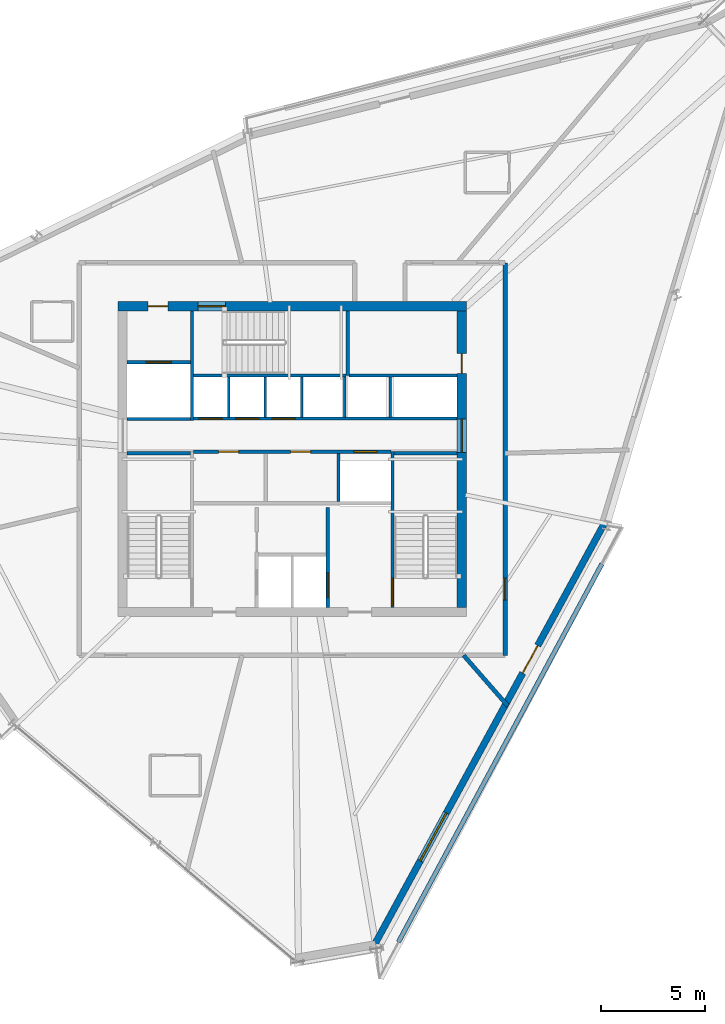
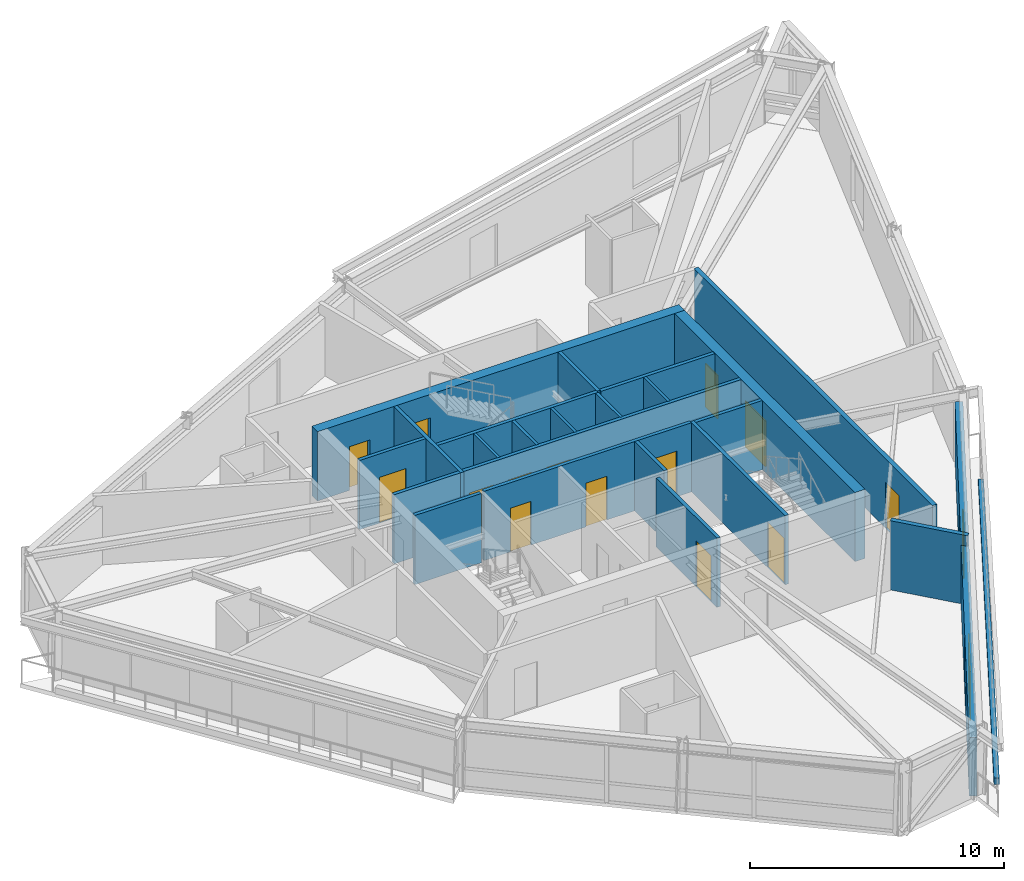
# One storey, part 9 of 14: 24 walls, 15 doors, 1 window, 16 openings.
"""IFC4 building model written with IfcOpenShell, lengths in metres."""

from ifc_helpers import new_model, si_unit, direction, frame, frame_2d, origin, place, context, subcontext, project, spatial, rectangle, extrude, source, transform, mapped, material, layer, layer_set, type_object, type_shapes, element, fill, save


model = new_model("IFC4")

# Units and contexts
model_context = context("Model", 3, precision=1e-05, world=origin(), true_north=direction((0.0, 1.0)))
body_context = subcontext(model_context, "Body", "Model", "MODEL_VIEW")
ifc_project = project(units=[si_unit("LENGTHUNIT", "METRE"), si_unit("AREAUNIT", "SQUARE_METRE"), si_unit("VOLUMEUNIT", "CUBIC_METRE"), si_unit("PLANEANGLEUNIT", "RADIAN"), si_unit("MASSUNIT", "GRAM", prefix="KILO")], contexts=[model_context])

# Site, building, storey
site_placement = place(None, origin())
site = spatial("IfcSite", under=ifc_project, at=site_placement, CompositionType="ELEMENT")
building_placement = place(site_placement, origin())
building = spatial("IfcBuilding", under=site, at=building_placement, Name="Olszyna Solenne Hotel", CompositionType="ELEMENT")
storey_placement = place(building_placement, frame((0.0, 0.0, 216.699951171875)))
storey = spatial("IfcBuildingStorey", under=building, at=storey_placement, Name="L57", CompositionType="ELEMENT", Elevation=216.699951171875)

# Wall, openings, doors
ifc_material_1 = material(Name="Concrete C50/60", Category="concrete")
ifc_layer_1 = layer(ifc_material_1, 0.449951171875, Name="Concrete C50/60")
ifc_layer_set_1 = layer_set([ifc_layer_1], Name="Concrete C50/60")
wall_type_1 = type_object("IfcWallType", Name="WL-CR450", PredefinedType="SHEAR", material=ifc_layer_set_1)
wall_1_placement = place(storey_placement, frame((29.64990234375, 33.925048828125, 0.0), z_axis=(0.0, 0.0, 1.0), x_axis=(1.0, 0.0, 0.0)))
wall_1 = element("IfcWall", 1, at=wall_1_placement, inside=storey, type_object=wall_type_1, Name="Core shear wall WL-CR450 CRW-L57-N", PredefinedType="SHEAR", context=body_context, shape_type="SweptSolid", body=[
    extrude(rectangle(XDim=16.7001953125, YDim=0.449951171875, at=frame_2d((8.35009765625, 0.0))), origin(), (0.0, 0.0, 1.0), 3.330078125),
])
opening_1_placement = place(wall_1_placement, frame((1.449951171875, 0.0, 0.0)))
opening_1 = element("IfcOpeningElement", 2, at=opening_1_placement, cuts=wall_1, Name="Opening SVD-L57-01", PredefinedType="OPENING", context=body_context, shape_type="SweptSolid", body=[
    extrude(rectangle(XDim=0.949951171875, YDim=2.10009765625, at=frame_2d((0.47509765625, 1.050048828125))), frame((0.0, 0.23486328125, 0.0), z_axis=(0.0, -1.0, 0.0), x_axis=(1.0, 0.0, 0.0)), (0.0, 0.0, 1.0), 0.469970703125),
])
opening_2_placement = place(wall_1_placement, frame((3.830078125, 0.0, 0.0)))
opening_2 = element("IfcOpeningElement", 3, at=opening_2_placement, cuts=wall_1, Name="Opening STD-L57-03", PredefinedType="OPENING", context=body_context, shape_type="SweptSolid", body=[
    extrude(rectangle(XDim=1.320068359375, YDim=2.199951171875, at=frame_2d((0.66015625, 1.10009765625))), frame((0.0, 0.23486328125, 0.0), z_axis=(0.0, -1.0, 0.0), x_axis=(1.0, 0.0, 0.0)), (0.0, 0.0, 1.0), 0.469970703125),
])
ifc_material_2 = material(Name="Steel S355J2", Category="steel")
door_type_1 = type_object("IfcDoorType", Name="DR-ST1", OperationType="NOTDEFINED", PredefinedType="DOOR", material=ifc_material_2)
shared_shape_1 = source(origin(), body_context, "Body", "SweptSolid", [
    extrude(rectangle(XDim=1.320068359375, YDim=2.199951171875, at=frame_2d((0.66015625, 1.10009765625))), frame((0.0, 0.02490234375, 0.0), z_axis=(0.0, -1.0, 0.0), x_axis=(1.0, 0.0, 0.0)), (0.0, 0.0, 1.0), 0.050048828125),
])
type_shapes(door_type_1, [shared_shape_1])
door_1_placement = place(opening_2_placement, origin())
door_1 = element("IfcDoor", 4, at=door_1_placement, inside=storey, type_object=door_type_1, Name="Pressurised exit stair ST3 fire door STD-L57-03", OperationType="SINGLE_SWING_RIGHT", OverallHeight=2.199951171875, OverallWidth=1.320068359375, PredefinedType="DOOR", context=body_context, shape_type="MappedRepresentation", body=[
    mapped(shared_shape_1, transform((0.0, 0.0, 0.0), x_axis=(1.0, 0.0, 0.0), y_axis=(0.0, 1.0, 0.0), z_axis=(0.0, 0.0, 1.0), scale=1.0)),
])
fill(opening_2, door_1)
door_type_2 = type_object("IfcDoorType", Name="DR-SV1", OperationType="NOTDEFINED", PredefinedType="DOOR", material=ifc_material_2)
shared_shape_2 = source(origin(), body_context, "Body", "SweptSolid", [
    extrude(rectangle(XDim=0.949951171875, YDim=2.10009765625, at=frame_2d((0.47509765625, 1.050048828125))), frame((0.0, 0.02490234375, 0.0), z_axis=(0.0, -1.0, 0.0), x_axis=(1.0, 0.0, 0.0)), (0.0, 0.0, 1.0), 0.050048828125),
])
type_shapes(door_type_2, [shared_shape_2])
door_2_placement = place(opening_1_placement, origin())
door_2 = element("IfcDoor", 5, at=door_2_placement, inside=storey, type_object=door_type_2, Name="Service lift lobby fire door SVD-L57-01", OperationType="SINGLE_SWING_LEFT", OverallHeight=2.10009765625, OverallWidth=0.949951171875, PredefinedType="DOOR", context=body_context, shape_type="MappedRepresentation", body=[
    mapped(shared_shape_2, transform((0.0, 0.0, 0.0), x_axis=(1.0, 0.0, 0.0), y_axis=(0.0, 1.0, 0.0), z_axis=(0.0, 0.0, 1.0), scale=1.0)),
])
fill(opening_1, door_2)

wall_2_placement = place(storey_placement, frame((46.125, 33.699951171875, 0.0), z_axis=(0.0, 0.0, 1.0), x_axis=(0.0, -1.0, 0.0)))
wall_2 = element("IfcWall", 6, at=wall_2_placement, inside=storey, type_object=wall_type_1, Name="Core shear wall WL-CR450 CRW-L57-E", PredefinedType="SHEAR", context=body_context, shape_type="SweptSolid", body=[
    extrude(rectangle(XDim=14.199951171875, YDim=0.449951171875, at=frame_2d((7.10009765625, 0.0))), origin(), (0.0, 0.0, 1.0), 3.330078125),
])
opening_3_placement = place(wall_2_placement, frame((5.179931640625, 0.0, 0.0)))
opening_3 = element("IfcOpeningElement", 7, at=opening_3_placement, cuts=wall_2, Name="Opening LHD-L57-E", PredefinedType="OPENING", context=body_context, shape_type="SweptSolid", body=[
    extrude(rectangle(XDim=1.60009765625, YDim=2.199951171875, at=frame_2d((0.800048828125, 1.10009765625))), frame((0.0, 0.23486328125, 0.0), z_axis=(0.0, -1.0, 0.0), x_axis=(1.0, 0.0, 0.0)), (0.0, 0.0, 1.0), 0.469970703125),
])
opening_4_placement = place(wall_2_placement, frame((2.050048828125, 0.0, 0.0)))
opening_4 = element("IfcOpeningElement", 8, at=opening_4_placement, cuts=wall_2, Name="Opening SVD-L57-BE", PredefinedType="OPENING", context=body_context, shape_type="SweptSolid", body=[
    extrude(rectangle(XDim=0.949951171875, YDim=2.10009765625, at=frame_2d((0.47509765625, 1.050048828125))), frame((0.0, 0.23486328125, 0.0), z_axis=(0.0, -1.0, 0.0), x_axis=(1.0, 0.0, 0.0)), (0.0, 0.0, 1.0), 0.469970703125),
])
door_3_placement = place(opening_4_placement, origin())
door_3 = element("IfcDoor", 9, at=door_3_placement, inside=storey, type_object=door_type_2, Name="Housekeeping core fire door SVD-L57-BE", OperationType="SINGLE_SWING_RIGHT", OverallHeight=2.10009765625, OverallWidth=0.949951171875, PredefinedType="DOOR", context=body_context, shape_type="MappedRepresentation", body=[
    mapped(shared_shape_2, transform((0.0, 0.0, 0.0), x_axis=(1.0, 0.0, 0.0), y_axis=(0.0, 1.0, 0.0), z_axis=(0.0, 0.0, 1.0), scale=1.0)),
])
fill(opening_4, door_3)
ifc_material_3 = material(Name="Timber hardwood", Category="wood")
door_type_3 = type_object("IfcDoorType", Name="DR-CR1", OperationType="DOUBLE_DOOR_SINGLE_SWING", PredefinedType="DOOR", material=ifc_material_3)
shared_shape_3 = source(origin(), body_context, "Body", "SweptSolid", [
    extrude(rectangle(XDim=1.60009765625, YDim=2.199951171875, at=frame_2d((0.800048828125, 1.10009765625))), frame((0.0, 0.02490234375, 0.0), z_axis=(0.0, -1.0, 0.0), x_axis=(1.0, 0.0, 0.0)), (0.0, 0.0, 1.0), 0.050048828125),
])
type_shapes(door_type_3, [shared_shape_3])
door_4_placement = place(opening_3_placement, origin())
door_4 = element("IfcDoor", 10, at=door_4_placement, inside=storey, type_object=door_type_3, Name="Passenger lift lobby East fire door LHD-L57-E", OperationType="DOUBLE_DOOR_SINGLE_SWING", OverallHeight=2.199951171875, OverallWidth=1.60009765625, PredefinedType="DOOR", context=body_context, shape_type="MappedRepresentation", body=[
    mapped(shared_shape_3, transform((0.0, 0.0, 0.0), x_axis=(1.0, 0.0, 0.0), y_axis=(0.0, 1.0, 0.0), z_axis=(0.0, 0.0, 1.0), scale=1.0)),
])
fill(opening_3, door_4)

# Wall, openings, door, window
ifc_material_4 = material(Name="Precast concrete C45/55", Category="concrete")
ifc_layer_2 = layer(ifc_material_4, 0.320068359375, Name="Precast concrete C45/55")
ifc_layer_set_2 = layer_set([ifc_layer_2], Name="Precast concrete C45/55")
wall_type_2 = type_object("IfcWallType", Name="WL-EX320", PredefinedType="SOLIDWALL", material=ifc_layer_set_2)
wall_3_placement = place(storey_placement, frame((52.936767578125, 23.490234375, 0.0), z_axis=(0.0, 0.0, 1.0), x_axis=(-0.479001143565, -0.877814276748, 0.0)))
wall_3 = element("IfcWall", 11, at=wall_3_placement, inside=storey, type_object=wall_type_2, Name="Exterior terracotta-precast frame wall WL-EX320 EW-L57-01", PredefinedType="SOLIDWALL", context=body_context, shape_type="SweptSolid", body=[
    extrude(rectangle(XDim=23.072021484375, YDim=0.320068359375, at=frame_2d((11.5361328125, 0.0))), origin(), (0.0, 0.0, 1.0), 2.822021484375),
])
opening_5_placement = place(wall_3_placement, frame((6.633056640625, 0.0, 0.0)))
opening_5 = element("IfcOpeningElement", 12, at=opening_5_placement, cuts=wall_3, Name="Opening LDG-L57-3", PredefinedType="OPENING", context=body_context, shape_type="SweptSolid", body=[
    extrude(rectangle(XDim=1.5, YDim=2.300048828125, at=frame_2d((0.75, 1.14990234375))), frame((0.0, 0.169921875, 0.0), z_axis=(0.0, -1.0, 0.0), x_axis=(1.0, 0.0, 0.0)), (0.0, 0.0, 1.0), 0.340087890625),
])
opening_6_placement = place(wall_3_placement, frame((15.77294921875, 0.0, 0.35205078125)))
opening_6 = element("IfcOpeningElement", 13, at=opening_6_placement, cuts=wall_3, Name="Opening WN-L57-365", PredefinedType="OPENING", context=body_context, shape_type="SweptSolid", body=[
    extrude(rectangle(XDim=2.60009765625, YDim=2.35009765625, at=frame_2d((1.300048828125, 1.175048828125))), frame((0.0, 0.169921875, 0.0), z_axis=(0.0, -1.0, 0.0), x_axis=(1.0, 0.0, 0.0)), (0.0, 0.0, 1.0), 0.340087890625),
])
ifc_material_5 = material(Name="Anodised bronze aluminium", Category="aluminium")
door_type_4 = type_object("IfcDoorType", Name="DR-LG2", OperationType="DOUBLE_DOOR_SINGLE_SWING", PredefinedType="DOOR", material=ifc_material_5)
shared_shape_4 = source(origin(), body_context, "Body", "SweptSolid", [
    extrude(rectangle(XDim=1.5, YDim=2.300048828125, at=frame_2d((0.75, 1.14990234375))), frame((0.0, 0.02490234375, 0.0), z_axis=(0.0, -1.0, 0.0), x_axis=(1.0, 0.0, 0.0)), (0.0, 0.0, 1.0), 0.050048828125),
])
type_shapes(door_type_4, [shared_shape_4])
door_5_placement = place(opening_5_placement, origin())
door_5 = element("IfcDoor", 14, at=door_5_placement, inside=storey, type_object=door_type_4, Name="Exterior loggia balcony door DR-LG2 LDG-L57-3", OperationType="DOUBLE_DOOR_SINGLE_SWING", OverallHeight=2.300048828125, OverallWidth=1.5, PredefinedType="DOOR", context=body_context, shape_type="MappedRepresentation", body=[
    mapped(shared_shape_4, transform((0.0, 0.0, 0.0), x_axis=(1.0, 0.0, 0.0), y_axis=(0.0, 1.0, 0.0), z_axis=(0.0, 0.0, 1.0), scale=1.0)),
])
fill(opening_5, door_5)
ifc_material_6 = material(Name="Low-E triple glazing", Category="glass")
window_type = type_object("IfcWindowType", Name="WN-ST1", PartitioningType="SINGLE_PANEL", PredefinedType="WINDOW", material=ifc_material_6)
shared_shape_5 = source(origin(), body_context, "Body", "SweptSolid", [
    extrude(rectangle(XDim=2.60009765625, YDim=2.35009765625, at=frame_2d((1.300048828125, 1.175048828125))), frame((0.0, 0.030029296875, 0.0), z_axis=(0.0, -1.0, 0.0), x_axis=(1.0, 0.0, 0.0)), (0.0, 0.0, 1.0), 0.06005859375),
])
type_shapes(window_type, [shared_shape_5])
window_placement = place(opening_6_placement, origin())
window = element("IfcWindow", 15, at=window_placement, inside=storey, type_object=window_type, Name="Loggia room window WN-ST1 WN-L57-365", OverallHeight=2.35009765625, OverallWidth=2.60009765625, PartitioningType="SINGLE_PANEL", PredefinedType="WINDOW", context=body_context, shape_type="MappedRepresentation", body=[
    mapped(shared_shape_5, transform((0.0, 0.0, 0.0), x_axis=(1.0, 0.0, 0.0), y_axis=(0.0, 1.0, 0.0), z_axis=(0.0, 0.0, 1.0), scale=1.0)),
])
fill(opening_6, window)

# Walls
ifc_layer_3 = layer(ifc_material_4, 0.219970703125, Name="Precast concrete C45/55")
ifc_layer_set_3 = layer_set([ifc_layer_3], Name="Precast concrete C45/55")
wall_type_3 = type_object("IfcWallType", Name="WL-PR220", PredefinedType="PARAPET", material=ifc_layer_set_3)
wall_4_placement = place(storey_placement, frame((43.091796875, 3.47265625, 0.0), z_axis=(0.0, 0.0, 1.0), x_axis=(0.473808636285, 0.880627830688, 0.0)))
element("IfcWall", 16, at=wall_4_placement, inside=storey, type_object=wall_type_3, Name="Loggia balcony precast kerb PR-L57-LG3", PredefinedType="PARAPET", context=body_context, shape_type="SweptSolid", body=[
    extrude(rectangle(XDim=20.551025390625, YDim=0.219970703125, at=frame_2d((10.275390625, 0.0))), origin(), (0.0, 0.0, 1.0), 0.300048828125),
])
ifc_material_7 = material(Name="Acoustic gypsum partition", Category="gypsum")
ifc_layer_4 = layer(ifc_material_7, 0.125, Name="Acoustic gypsum partition")
ifc_layer_set_4 = layer_set([ifc_layer_4], Name="Acoustic gypsum partition")
wall_type_4 = type_object("IfcWallType", Name="WL-PT125", PredefinedType="PARTITIONING", material=ifc_layer_set_4)
for number, where, z_axis, x_axis, name in (
    (17, (34.965087890625, 28.60009765625, 0.0), (0.0, 0.0, 1.0), (0.0, 1.0, 0.0), "Core shaft compartment wall CW-L57-DIVN349"),
    (18, (36.715087890625, 28.60009765625, 0.0), (0.0, 0.0, 1.0), (0.0, 1.0, 0.0), "Core shaft compartment wall CW-L57-DIVN367"),
    (19, (38.465087890625, 28.60009765625, 0.0), (0.0, 0.0, 1.0), (0.0, 1.0, 0.0), "Core shaft compartment wall CW-L57-DIVN384"),
    (20, (40.52490234375, 28.60009765625, 0.0), (0.0, 0.0, 1.0), (0.0, 1.0, 0.0), "Core shaft compartment wall CW-L57-DIVEX405"),
    (21, (42.699951171875, 28.60009765625, 0.0), (0.0, 0.0, 1.0), (0.0, 1.0, 0.0), "Core shaft compartment wall CW-L57-DIVEX427"),
):
    element("IfcWall", number, at=place(storey_placement, frame(where, z_axis=z_axis, x_axis=x_axis)), inside=storey, type_object=wall_type_4, Name=name, PredefinedType="PARTITIONING", context=body_context, shape_type="SweptSolid", body=[
        extrude(rectangle(XDim=1.919921875, YDim=0.125, at=frame_2d((0.9599609375, 0.0))), origin(), (0.0, 0.0, 1.0), 3.330078125),
    ])
ifc_layer_5 = layer(ifc_material_7, 0.159912109375, Name="Acoustic gypsum partition")
ifc_layer_set_5 = layer_set([ifc_layer_5], Name="Acoustic gypsum partition")
wall_type_5 = type_object("IfcWallType", Name="WL-PT160", PredefinedType="PARTITIONING", material=ifc_layer_set_5)
wall_5_placement = place(storey_placement, frame((30.10009765625, 26.8798828125, 0.0), z_axis=(0.0, 0.0, 1.0), x_axis=(1.0, 0.0, 0.0)))
element("IfcWall", 22, at=wall_5_placement, inside=storey, type_object=wall_type_5, Name="Core shaft compartment wall CW-L57-ST1N", PredefinedType="PARTITIONING", context=body_context, shape_type="SweptSolid", body=[
    extrude(rectangle(XDim=3.02001953125, YDim=0.159912109375, at=frame_2d((1.510009765625, 0.0))), origin(), (0.0, 0.0, 1.0), 3.330078125),
])

# Wall, opening, door
wall_6_placement = place(storey_placement, frame((42.800048828125, 26.9599609375, 0.0), z_axis=(0.0, 0.0, 1.0), x_axis=(0.0, -1.0, 0.0)))
wall_6 = element("IfcWall", 23, at=wall_6_placement, inside=storey, type_object=wall_type_5, Name="Core shaft compartment wall CW-L57-ST2W", PredefinedType="PARTITIONING", context=body_context, shape_type="SweptSolid", body=[
    extrude(rectangle(XDim=7.4599609375, YDim=0.159912109375, at=frame_2d((3.72998046875, 0.0))), origin(), (0.0, 0.0, 1.0), 3.330078125),
])
opening_7_placement = place(wall_6_placement, frame((6.06005859375, 0.0, 0.0)))
opening_7 = element("IfcOpeningElement", 24, at=opening_7_placement, cuts=wall_6, Name="Opening STD-L57-02", PredefinedType="OPENING", context=body_context, shape_type="SweptSolid", body=[
    extrude(rectangle(XDim=1.320068359375, YDim=2.199951171875, at=frame_2d((0.66015625, 1.10009765625))), frame((0.0, 0.08984375, 0.0), z_axis=(0.0, -1.0, 0.0), x_axis=(1.0, 0.0, 0.0)), (0.0, 0.0, 1.0), 0.179931640625),
])
door_6_placement = place(opening_7_placement, origin())
door_6 = element("IfcDoor", 25, at=door_6_placement, inside=storey, type_object=door_type_1, Name="Pressurised exit stair ST2 fire door STD-L57-02", OperationType="SINGLE_SWING_RIGHT", OverallHeight=2.199951171875, OverallWidth=1.320068359375, PredefinedType="DOOR", context=body_context, shape_type="MappedRepresentation", body=[
    mapped(shared_shape_1, transform((0.0, 0.0, 0.0), x_axis=(1.0, 0.0, 0.0), y_axis=(0.0, 1.0, 0.0), z_axis=(0.0, 0.0, 1.0), scale=1.0)),
])
fill(opening_7, door_6)

# Walls
wall_7_placement = place(storey_placement, frame((42.8798828125, 26.8798828125, 0.0), z_axis=(0.0, 0.0, 1.0), x_axis=(1.0, 0.0, 0.0)))
element("IfcWall", 26, at=wall_7_placement, inside=storey, type_object=wall_type_5, Name="Core shaft compartment wall CW-L57-ST2N", PredefinedType="PARTITIONING", context=body_context, shape_type="SweptSolid", body=[
    extrude(rectangle(XDim=3.02001953125, YDim=0.159912109375, at=frame_2d((1.510009765625, 0.0))), origin(), (0.0, 0.0, 1.0), 3.330078125),
])
wall_8_placement = place(storey_placement, frame((33.280029296875, 30.60009765625, 0.0), z_axis=(0.0, 0.0, 1.0), x_axis=(1.0, 0.0, 0.0)))
element("IfcWall", 27, at=wall_8_placement, inside=storey, type_object=wall_type_5, Name="Core shaft compartment wall CW-L57-ST3S", PredefinedType="PARTITIONING", context=body_context, shape_type="SweptSolid", body=[
    extrude(rectangle(XDim=7.300048828125, YDim=0.159912109375, at=frame_2d((3.64990234375, 0.0))), origin(), (0.0, 0.0, 1.0), 3.330078125),
])
wall_9_placement = place(storey_placement, frame((40.659912109375, 30.60009765625, 0.0), z_axis=(0.0, 0.0, 1.0), x_axis=(0.0, 1.0, 0.0)))
element("IfcWall", 28, at=wall_9_placement, inside=storey, type_object=wall_type_5, Name="Core shaft compartment wall CW-L57-ST3E", PredefinedType="PARTITIONING", context=body_context, shape_type="SweptSolid", body=[
    extrude(rectangle(XDim=3.099853515625, YDim=0.159912109375, at=frame_2d((1.5498046875, 0.0))), origin(), (0.0, 0.0, 1.0), 3.330078125),
])

# Wall, opening, door
wall_10_placement = place(storey_placement, frame((39.699951171875, 24.280029296875, 0.0), z_axis=(0.0, 0.0, 1.0), x_axis=(0.0, -1.0, 0.0)))
wall_10 = element("IfcWall", 29, at=wall_10_placement, inside=storey, type_object=wall_type_5, Name="Core shaft compartment wall CW-L57-FF2E", PredefinedType="PARTITIONING", context=body_context, shape_type="SweptSolid", body=[
    extrude(rectangle(XDim=4.780029296875, YDim=0.159912109375, at=frame_2d((2.39013671875, 0.0))), origin(), (0.0, 0.0, 1.0), 3.330078125),
])
opening_8_placement = place(wall_10_placement, frame((3.1201171875, 0.0, 0.0)))
opening_8 = element("IfcOpeningElement", 30, at=opening_8_placement, cuts=wall_10, Name="Opening LD-L57-FF2", PredefinedType="OPENING", context=body_context, shape_type="SweptSolid", body=[
    extrude(rectangle(XDim=1.199951171875, YDim=2.199951171875, at=frame_2d((0.60009765625, 1.10009765625))), frame((0.0, 0.08984375, 0.0), z_axis=(0.0, -1.0, 0.0), x_axis=(1.0, 0.0, 0.0)), (0.0, 0.0, 1.0), 0.179931640625),
])
door_type_5 = type_object("IfcDoorType", Name="LD-FF1", OperationType="DOUBLE_DOOR_SLIDING", PredefinedType="DOOR", material=ifc_material_2)
shared_shape_6 = source(origin(), body_context, "Body", "SweptSolid", [
    extrude(rectangle(XDim=1.199951171875, YDim=2.199951171875, at=frame_2d((0.60009765625, 1.10009765625))), frame((0.0, 0.02490234375, 0.0), z_axis=(0.0, -1.0, 0.0), x_axis=(1.0, 0.0, 0.0)), (0.0, 0.0, 1.0), 0.050048828125),
])
type_shapes(door_type_5, [shared_shape_6])
door_7_placement = place(opening_8_placement, origin())
door_7 = element("IfcDoor", 31, at=door_7_placement, inside=storey, type_object=door_type_5, Name="Firefighters lift FF2 sliding landing door LD-L57-FF2", OperationType="DOUBLE_DOOR_SLIDING", OverallHeight=2.199951171875, OverallWidth=1.199951171875, PredefinedType="DOOR", context=body_context, shape_type="MappedRepresentation", body=[
    mapped(shared_shape_6, transform((0.0, 0.0, 0.0), x_axis=(1.0, 0.0, 0.0), y_axis=(0.0, 1.0, 0.0), z_axis=(0.0, 0.0, 1.0), scale=1.0)),
])
fill(opening_8, door_7)

# Walls
wall_11_placement = place(storey_placement, frame((30.10009765625, 28.52001953125, 0.0), z_axis=(0.0, 0.0, 1.0), x_axis=(1.0, 0.0, 0.0)))
element("IfcWall", 32, at=wall_11_placement, inside=storey, type_object=wall_type_5, Name="Core shaft compartment wall CW-L57-SV1S", PredefinedType="PARTITIONING", context=body_context, shape_type="SweptSolid", body=[
    extrude(rectangle(XDim=3.02001953125, YDim=0.159912109375, at=frame_2d((1.510009765625, 0.0))), origin(), (0.0, 0.0, 1.0), 3.330078125),
])
wall_12_placement = place(storey_placement, frame((33.199951171875, 28.43994140625, 0.0), z_axis=(0.0, 0.0, 1.0), x_axis=(0.0, 1.0, 0.0)))
element("IfcWall", 33, at=wall_12_placement, inside=storey, type_object=wall_type_5, Name="Core shaft compartment wall CW-L57-SV1E", PredefinedType="PARTITIONING", context=body_context, shape_type="SweptSolid", body=[
    extrude(rectangle(XDim=5.260009765625, YDim=0.159912109375, at=frame_2d((2.6298828125, 0.0))), origin(), (0.0, 0.0, 1.0), 3.330078125),
])

# Wall, opening, door
wall_13_placement = place(storey_placement, frame((30.10009765625, 31.239990234375, 0.0), z_axis=(0.0, 0.0, 1.0), x_axis=(1.0, 0.0, 0.0)))
wall_13 = element("IfcWall", 34, at=wall_13_placement, inside=storey, type_object=wall_type_5, Name="Core shaft compartment wall CW-L57-SV1N", PredefinedType="PARTITIONING", context=body_context, shape_type="SweptSolid", body=[
    extrude(rectangle(XDim=3.02001953125, YDim=0.159912109375, at=frame_2d((1.510009765625, 0.0))), origin(), (0.0, 0.0, 1.0), 3.330078125),
])
opening_9_placement = place(wall_13_placement, frame((0.909912109375, 0.0, 0.0)))
opening_9 = element("IfcOpeningElement", 35, at=opening_9_placement, cuts=wall_13, Name="Opening LD-L57-SV1", PredefinedType="OPENING", context=body_context, shape_type="SweptSolid", body=[
    extrude(rectangle(XDim=1.199951171875, YDim=2.199951171875, at=frame_2d((0.60009765625, 1.10009765625))), frame((0.0, 0.08984375, 0.0), z_axis=(0.0, -1.0, 0.0), x_axis=(1.0, 0.0, 0.0)), (0.0, 0.0, 1.0), 0.179931640625),
])
door_8_placement = place(opening_9_placement, origin())
door_8 = element("IfcDoor", 36, at=door_8_placement, inside=storey, type_object=door_type_5, Name="Service lift SV1 sliding landing door LD-L57-SV1", OperationType="DOUBLE_DOOR_SLIDING", OverallHeight=2.199951171875, OverallWidth=1.199951171875, PredefinedType="DOOR", context=body_context, shape_type="MappedRepresentation", body=[
    mapped(shared_shape_6, transform((0.0, 0.0, 0.0), x_axis=(1.0, 0.0, 0.0), y_axis=(0.0, 1.0, 0.0), z_axis=(0.0, 0.0, 1.0), scale=1.0)),
])
fill(opening_9, door_8)

# Wall, openings, doors
wall_14_placement = place(storey_placement, frame((33.280029296875, 26.949951171875, 0.0), z_axis=(0.0, 0.0, 1.0), x_axis=(1.0, 0.0, 0.0)))
wall_14 = element("IfcWall", 37, at=wall_14_placement, inside=storey, type_object=wall_type_5, Name="Core shaft compartment wall CW-L57-LRS", PredefinedType="PARTITIONING", context=body_context, shape_type="SweptSolid", body=[
    extrude(rectangle(XDim=9.43994140625, YDim=0.159912109375, at=frame_2d((4.719970703125, 0.0))), origin(), (0.0, 0.0, 1.0), 3.330078125),
])
opening_10_placement = place(wall_14_placement, frame((1.199951171875, 0.0, 0.0)))
opening_10 = element("IfcOpeningElement", 38, at=opening_10_placement, cuts=wall_14, Name="Opening SVD-L57-L71", PredefinedType="OPENING", context=body_context, shape_type="SweptSolid", body=[
    extrude(rectangle(XDim=0.949951171875, YDim=2.10009765625, at=frame_2d((0.47509765625, 1.050048828125))), frame((0.0, 0.08984375, 0.0), z_axis=(0.0, -1.0, 0.0), x_axis=(1.0, 0.0, 0.0)), (0.0, 0.0, 1.0), 0.179931640625),
])
opening_11_placement = place(wall_14_placement, frame((4.64990234375, 0.0, 0.0)))
opening_11 = element("IfcOpeningElement", 39, at=opening_11_placement, cuts=wall_14, Name="Opening SVD-L57-L72", PredefinedType="OPENING", context=body_context, shape_type="SweptSolid", body=[
    extrude(rectangle(XDim=0.949951171875, YDim=2.10009765625, at=frame_2d((0.47509765625, 1.050048828125))), frame((0.0, 0.08984375, 0.0), z_axis=(0.0, -1.0, 0.0), x_axis=(1.0, 0.0, 0.0)), (0.0, 0.0, 1.0), 0.179931640625),
])
opening_12_placement = place(wall_14_placement, frame((7.669921875, 0.0, 0.0)))
opening_12 = element("IfcOpeningElement", 40, at=opening_12_placement, cuts=wall_14, Name="Opening LD-L57-PL5", PredefinedType="OPENING", context=body_context, shape_type="SweptSolid", body=[
    extrude(rectangle(XDim=1.10009765625, YDim=2.199951171875, at=frame_2d((0.550048828125, 1.10009765625))), frame((0.0, 0.08984375, 0.0), z_axis=(0.0, -1.0, 0.0), x_axis=(1.0, 0.0, 0.0)), (0.0, 0.0, 1.0), 0.179931640625),
])
door_9_placement = place(opening_10_placement, origin())
door_9 = element("IfcDoor", 41, at=door_9_placement, inside=storey, type_object=door_type_2, Name="Recaptured core room fire door SVD-L57-L71", OperationType="SINGLE_SWING_LEFT", OverallHeight=2.10009765625, OverallWidth=0.949951171875, PredefinedType="DOOR", context=body_context, shape_type="MappedRepresentation", body=[
    mapped(shared_shape_2, transform((0.0, 0.0, 0.0), x_axis=(1.0, 0.0, 0.0), y_axis=(0.0, 1.0, 0.0), z_axis=(0.0, 0.0, 1.0), scale=1.0)),
])
fill(opening_10, door_9)
door_10_placement = place(opening_11_placement, origin())
door_10 = element("IfcDoor", 42, at=door_10_placement, inside=storey, type_object=door_type_2, Name="Recaptured core room fire door SVD-L57-L72", OperationType="SINGLE_SWING_RIGHT", OverallHeight=2.10009765625, OverallWidth=0.949951171875, PredefinedType="DOOR", context=body_context, shape_type="MappedRepresentation", body=[
    mapped(shared_shape_2, transform((0.0, 0.0, 0.0), x_axis=(1.0, 0.0, 0.0), y_axis=(0.0, 1.0, 0.0), z_axis=(0.0, 0.0, 1.0), scale=1.0)),
])
fill(opening_11, door_10)
door_type_6 = type_object("IfcDoorType", Name="LD-P1", OperationType="DOUBLE_DOOR_SLIDING", PredefinedType="DOOR", material=ifc_material_2)
shared_shape_7 = source(origin(), body_context, "Body", "SweptSolid", [
    extrude(rectangle(XDim=1.10009765625, YDim=2.199951171875, at=frame_2d((0.550048828125, 1.10009765625))), frame((0.0, 0.02490234375, 0.0), z_axis=(0.0, -1.0, 0.0), x_axis=(1.0, 0.0, 0.0)), (0.0, 0.0, 1.0), 0.050048828125),
])
type_shapes(door_type_6, [shared_shape_7])
door_11_placement = place(opening_12_placement, origin())
door_11 = element("IfcDoor", 43, at=door_11_placement, inside=storey, type_object=door_type_6, Name="Passenger lift PL5 sliding landing door LD-L57-PL5", OperationType="DOUBLE_DOOR_SLIDING", OverallHeight=2.199951171875, OverallWidth=1.10009765625, PredefinedType="DOOR", context=body_context, shape_type="MappedRepresentation", body=[
    mapped(shared_shape_7, transform((0.0, 0.0, 0.0), x_axis=(1.0, 0.0, 0.0), y_axis=(0.0, 1.0, 0.0), z_axis=(0.0, 0.0, 1.0), scale=1.0)),
])
fill(opening_12, door_11)

# Wall
wall_15_placement = place(storey_placement, frame((40.215087890625, 24.56005859375, 0.0), z_axis=(0.0, 0.0, 1.0), x_axis=(0.0, 1.0, 0.0)))
element("IfcWall", 44, at=wall_15_placement, inside=storey, type_object=wall_type_5, Name="Core shaft compartment wall CW-L57-LV7DIV2", PredefinedType="PARTITIONING", context=body_context, shape_type="SweptSolid", body=[
    extrude(rectangle(XDim=2.31005859375, YDim=0.159912109375, at=frame_2d((1.155029296875, 0.0))), origin(), (0.0, 0.0, 1.0), 3.330078125),
])

# Wall, openings, doors
wall_16_placement = place(storey_placement, frame((33.280029296875, 28.5400390625, 0.0), z_axis=(0.0, 0.0, 1.0), x_axis=(1.0, 0.0, 0.0)))
wall_16 = element("IfcWall", 45, at=wall_16_placement, inside=storey, type_object=wall_type_5, Name="Core shaft compartment wall CW-L57-LRN", PredefinedType="PARTITIONING", context=body_context, shape_type="SweptSolid", body=[
    extrude(rectangle(XDim=12.619873046875, YDim=0.159912109375, at=frame_2d((6.31005859375, 0.0))), origin(), (0.0, 0.0, 1.0), 3.330078125),
])
opening_13_placement = place(wall_16_placement, frame((0.260009765625, 0.0, 0.0)))
opening_13 = element("IfcOpeningElement", 46, at=opening_13_placement, cuts=wall_16, Name="Opening LD-L57-PL6", PredefinedType="OPENING", context=body_context, shape_type="SweptSolid", body=[
    extrude(rectangle(XDim=1.10009765625, YDim=2.199951171875, at=frame_2d((0.550048828125, 1.10009765625))), frame((0.0, 0.08984375, 0.0), z_axis=(0.0, -1.0, 0.0), x_axis=(1.0, 0.0, 0.0)), (0.0, 0.0, 1.0), 0.179931640625),
])
opening_14_placement = place(wall_16_placement, frame((2.010009765625, 0.0, 0.0)))
opening_14 = element("IfcOpeningElement", 47, at=opening_14_placement, cuts=wall_16, Name="Opening LD-L57-PL7", PredefinedType="OPENING", context=body_context, shape_type="SweptSolid", body=[
    extrude(rectangle(XDim=1.10009765625, YDim=2.199951171875, at=frame_2d((0.550048828125, 1.10009765625))), frame((0.0, 0.08984375, 0.0), z_axis=(0.0, -1.0, 0.0), x_axis=(1.0, 0.0, 0.0)), (0.0, 0.0, 1.0), 0.179931640625),
])
opening_15_placement = place(wall_16_placement, frame((3.760009765625, 0.0, 0.0)))
opening_15 = element("IfcOpeningElement", 48, at=opening_15_placement, cuts=wall_16, Name="Opening LD-L57-PL8", PredefinedType="OPENING", context=body_context, shape_type="SweptSolid", body=[
    extrude(rectangle(XDim=1.10009765625, YDim=2.199951171875, at=frame_2d((0.550048828125, 1.10009765625))), frame((0.0, 0.08984375, 0.0), z_axis=(0.0, -1.0, 0.0), x_axis=(1.0, 0.0, 0.0)), (0.0, 0.0, 1.0), 0.179931640625),
])
door_12_placement = place(opening_13_placement, origin())
door_12 = element("IfcDoor", 49, at=door_12_placement, inside=storey, type_object=door_type_6, Name="Passenger lift PL6 sliding landing door LD-L57-PL6", OperationType="DOUBLE_DOOR_SLIDING", OverallHeight=2.199951171875, OverallWidth=1.10009765625, PredefinedType="DOOR", context=body_context, shape_type="MappedRepresentation", body=[
    mapped(shared_shape_7, transform((0.0, 0.0, 0.0), x_axis=(1.0, 0.0, 0.0), y_axis=(0.0, 1.0, 0.0), z_axis=(0.0, 0.0, 1.0), scale=1.0)),
])
fill(opening_13, door_12)
door_13_placement = place(opening_14_placement, origin())
door_13 = element("IfcDoor", 50, at=door_13_placement, inside=storey, type_object=door_type_6, Name="Passenger lift PL7 sliding landing door LD-L57-PL7", OperationType="DOUBLE_DOOR_SLIDING", OverallHeight=2.199951171875, OverallWidth=1.10009765625, PredefinedType="DOOR", context=body_context, shape_type="MappedRepresentation", body=[
    mapped(shared_shape_7, transform((0.0, 0.0, 0.0), x_axis=(1.0, 0.0, 0.0), y_axis=(0.0, 1.0, 0.0), z_axis=(0.0, 0.0, 1.0), scale=1.0)),
])
fill(opening_14, door_13)
door_14_placement = place(opening_15_placement, origin())
door_14 = element("IfcDoor", 51, at=door_14_placement, inside=storey, type_object=door_type_6, Name="Passenger lift PL8 sliding landing door LD-L57-PL8", OperationType="DOUBLE_DOOR_SLIDING", OverallHeight=2.199951171875, OverallWidth=1.10009765625, PredefinedType="DOOR", context=body_context, shape_type="MappedRepresentation", body=[
    mapped(shared_shape_7, transform((0.0, 0.0, 0.0), x_axis=(1.0, 0.0, 0.0), y_axis=(0.0, 1.0, 0.0), z_axis=(0.0, 0.0, 1.0), scale=1.0)),
])
fill(opening_15, door_14)

# Walls
wall_17_placement = place(storey_placement, frame((40.719970703125, 30.60009765625, 0.0), z_axis=(0.0, 0.0, 1.0), x_axis=(1.0, 0.0, 0.0)))
element("IfcWall", 52, at=wall_17_placement, inside=storey, type_object=wall_type_5, Name="Core shaft compartment wall CW-L57-LRNTOP", PredefinedType="PARTITIONING", context=body_context, shape_type="SweptSolid", body=[
    extrude(rectangle(XDim=5.179931640625, YDim=0.159912109375, at=frame_2d((2.58984375, 0.0))), origin(), (0.0, 0.0, 1.0), 3.330078125),
])
ifc_layer_6 = layer(ifc_material_7, 0.199951171875, Name="Acoustic gypsum partition")
ifc_layer_set_6 = layer_set([ifc_layer_6], Name="Acoustic gypsum partition")
wall_type_6 = type_object("IfcWallType", Name="WL-PT200", PredefinedType="PARTITIONING", material=ifc_layer_set_6)
wall_18_placement = place(storey_placement, frame((46.209716796875, 17.199951171875, 0.0), z_axis=(0.0, 0.0, 1.0), x_axis=(0.657822855657, -0.753172683105, 0.0)))
element("IfcWall", 53, at=wall_18_placement, inside=storey, type_object=wall_type_6, Name="Interior acoustic partition WL-PT200 PW-L57-3170", PredefinedType="PARTITIONING", context=body_context, shape_type="SweptSolid", body=[
    extrude(rectangle(XDim=3.22119140625, YDim=0.199951171875, at=frame_2d((1.610595703125, 0.0))), origin(), (0.0, 0.0, 1.0), 3.330078125),
])

# Wall, opening, door
wall_19_placement = place(storey_placement, frame((48.199951171875, 17.199951171875, 0.0), z_axis=(0.0, 0.0, 1.0), x_axis=(0.0, 1.0, 0.0)))
wall_19 = element("IfcWall", 54, at=wall_19_placement, inside=storey, type_object=wall_type_6, Name="Interior acoustic partition WL-PT200 PW-L57-3197", PredefinedType="PARTITIONING", context=body_context, shape_type="SweptSolid", body=[
    extrude(rectangle(XDim=18.800048828125, YDim=0.199951171875, at=frame_2d((9.39990234375, 0.0))), origin(), (0.0, 0.0, 1.0), 3.330078125),
])
opening_16_placement = place(wall_19_placement, frame((2.64794921875, 0.0, 0.0)))
opening_16 = element("IfcOpeningElement", 55, at=opening_16_placement, cuts=wall_19, Name="Opening DR-L57-0779", PredefinedType="OPENING", context=body_context, shape_type="SweptSolid", body=[
    extrude(rectangle(XDim=1.050048828125, YDim=2.199951171875, at=frame_2d((0.52490234375, 1.10009765625))), frame((0.0, 0.10986328125, 0.0), z_axis=(0.0, -1.0, 0.0), x_axis=(1.0, 0.0, 0.0)), (0.0, 0.0, 1.0), 0.219970703125),
])
door_type_7 = type_object("IfcDoorType", Name="DR-RM2", OperationType="NOTDEFINED", PredefinedType="DOOR", material=ifc_material_3)
shared_shape_8 = source(origin(), body_context, "Body", "SweptSolid", [
    extrude(rectangle(XDim=1.050048828125, YDim=2.199951171875, at=frame_2d((0.52490234375, 1.10009765625))), frame((0.0, 0.02490234375, 0.0), z_axis=(0.0, -1.0, 0.0), x_axis=(1.0, 0.0, 0.0)), (0.0, 0.0, 1.0), 0.050048828125),
])
type_shapes(door_type_7, [shared_shape_8])
door_15_placement = place(opening_16_placement, origin())
door_15 = element("IfcDoor", 56, at=door_15_placement, inside=storey, type_object=door_type_7, Name="Wellness Spa Studio Entrance Door DR-L57-0779", OperationType="SINGLE_SWING_LEFT", OverallHeight=2.199951171875, OverallWidth=1.050048828125, PredefinedType="DOOR", context=body_context, shape_type="MappedRepresentation", body=[
    mapped(shared_shape_8, transform((0.0, 0.0, 0.0), x_axis=(1.0, 0.0, 0.0), y_axis=(0.0, 1.0, 0.0), z_axis=(0.0, 0.0, 1.0), scale=1.0)),
])
fill(opening_16, door_15)

save(model, "model.ifc")
